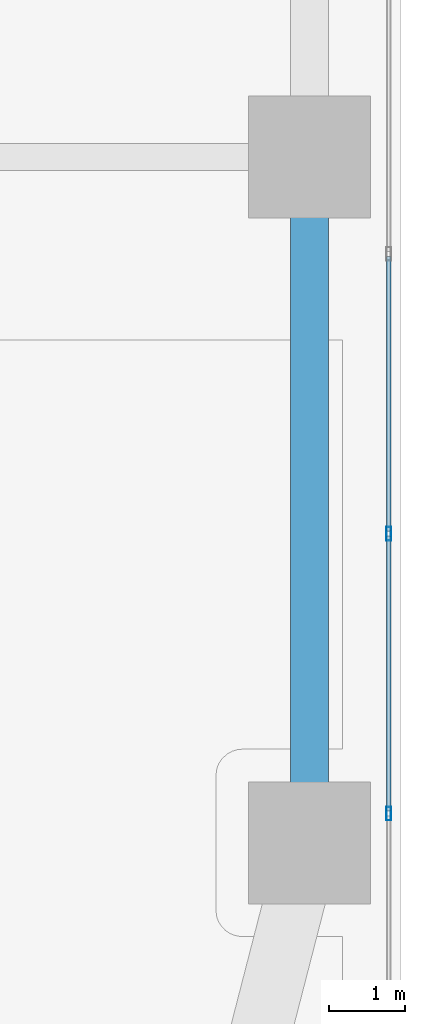
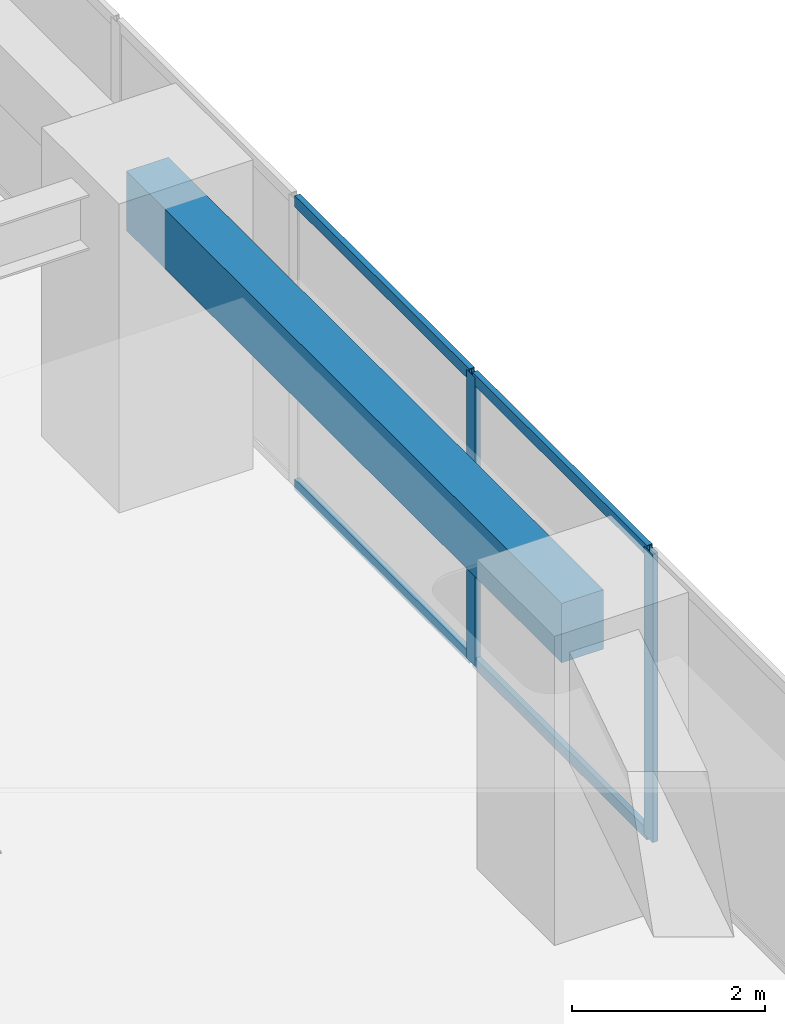
# One storey, part 6 of 29: 6 members, 1 beam, 1 element without a shape of its own.
"""IFC4 building model written with IfcOpenShell, lengths in metres."""

from ifc_helpers import new_model, si_unit, direction, frame, origin, origin_2d, place, context, subcontext, project, spatial, rectangle, hollow_rectangle, extrude, material, layer, layer_set, material_profile, profile_set, type_object, element, aggregate, save


model = new_model("IFC4")

# Units and contexts
model_context = context("Model", 3, precision=1e-05, world=origin(), true_north=direction((0.0, 1.0)))
body_context = subcontext(model_context, "Body", "Model", "MODEL_VIEW")
ifc_project = project(units=[si_unit("LENGTHUNIT", "METRE"), si_unit("AREAUNIT", "SQUARE_METRE"), si_unit("VOLUMEUNIT", "CUBIC_METRE"), si_unit("PLANEANGLEUNIT", "RADIAN"), si_unit("MASSUNIT", "GRAM", prefix="KILO")], contexts=[model_context])

# Site, building, storey
site_placement = place(None, origin())
site = spatial("IfcSite", under=ifc_project, at=site_placement, CompositionType="ELEMENT")
building_placement = place(site_placement, origin())
building = spatial("IfcBuilding", under=site, at=building_placement, Name="Kiyonajd Concourse Tower", CompositionType="ELEMENT")
storey_placement = place(building_placement, frame((0.0, 0.0, 25.5)))
storey = spatial("IfcBuildingStorey", under=building, at=storey_placement, Name="L07", CompositionType="ELEMENT", Elevation=25.5)

# Beam
ifc_material_1 = material(Name="Precast concrete C50/60", Category="concrete")
ifc_material_profile_1 = material_profile(ifc_material_1, rectangle(XDim=0.5, YDim=0.75, at=origin_2d()), Name="RCBM-500x750")
ifc_profile_set_1 = profile_set([ifc_material_profile_1], Name="Precast concrete C50/60")
beam_type = type_object("IfcBeamType", Name="BM-SPAN-RC", PredefinedType="SPANDREL", material=ifc_profile_set_1)
beam_placement = place(storey_placement, frame((78.0, 18.60009765625, 3.264892578125), z_axis=(0.0, 1.0, 0.0), x_axis=(-1.0, 0.0, 0.0)))
element("IfcBeam", 1, at=beam_placement, inside=storey, type_object=beam_type, Name="L07 Perimeter Bundled Tube Spandrel", PredefinedType="SPANDREL", context=body_context, shape_type="SweptSolid", body=[
    extrude(rectangle(XDim=0.5, YDim=0.75, at=origin_2d()), origin(), (0.0, 0.0, 1.0), 9.0),
])

# Curtain wall, members
ifc_material_2 = material(Name="Thermally Broken Anodised Aluminium", Category="aluminium")
ifc_layer = layer(ifc_material_2, 0.179931640625)
ifc_layer_set = layer_set([ifc_layer], Name="Thermally Broken Anodised Aluminium")
curtain_wall_type = type_object("IfcCurtainWallType", Name="CW-SYS-02", PredefinedType="NOTDEFINED", material=ifc_layer_set)
curtain_wall_placement = place(storey_placement, origin())
curtain_wall = element("IfcCurtainWall", 2, at=curtain_wall_placement, inside=storey, type_object=curtain_wall_type, Name="L07 Unitised Curtain Wall CW2", PredefinedType="NOTDEFINED")
ifc_material_profile_2 = material_profile(ifc_material_2, hollow_rectangle(XDim=0.06494140625, YDim=0.179931640625, WallThickness=0.00390625, at=origin_2d()), Name="MULL-65x180")
ifc_profile_set_2 = profile_set([ifc_material_profile_2], Name="Thermally Broken Anodised Aluminium")
member_type_1 = type_object("IfcMemberType", Name="MB-CW-MULL1", PredefinedType="MULLION", material=ifc_profile_set_2)
member_1_placement = place(storey_placement, frame((79.0400390625, 22.657470703125, 0.0), z_axis=(0.0, 0.0, 1.0), x_axis=(1.0, 0.0, 0.0)))
member_1 = element("IfcMember", 3, at=member_1_placement, type_object=member_type_1, Name="CW2 mullion 5", PredefinedType="MULLION", context=body_context, shape_type="SweptSolid", body=[
    extrude(hollow_rectangle(XDim=0.06494140625, YDim=0.179931640625, WallThickness=0.00390625, at=origin_2d()), origin(), (0.0, 0.0, 1.0), 3.639892578125),
])
member_2_placement = place(storey_placement, frame((79.0400390625, 18.984130859375, 0.0), z_axis=(0.0, 0.0, 1.0), x_axis=(1.0, 0.0, 0.0)))
member_2 = element("IfcMember", 4, at=member_2_placement, type_object=member_type_1, Name="CW2 mullion 6", PredefinedType="MULLION", context=body_context, shape_type="SweptSolid", body=[
    extrude(hollow_rectangle(XDim=0.06494140625, YDim=0.179931640625, WallThickness=0.00390625, at=origin_2d()), origin(), (0.0, 0.0, 1.0), 3.639892578125),
])
ifc_material_profile_3 = material_profile(ifc_material_2, hollow_rectangle(XDim=0.06494140625, YDim=0.139892578125, WallThickness=0.00390625, at=origin_2d()), Name="TRAN-65x140")
ifc_profile_set_3 = profile_set([ifc_material_profile_3], Name="Thermally Broken Anodised Aluminium")
member_type_2 = type_object("IfcMemberType", Name="MB-CW-TRAN1", PredefinedType="USERDEFINED", material=ifc_profile_set_3)
member_3_placement = place(storey_placement, frame((79.0400390625, 26.298095703125, 0.032470703125), z_axis=(0.0, -1.0, 0.0), x_axis=(1.0, 0.0, 0.0)))
member_3 = element("IfcMember", 5, at=member_3_placement, type_object=member_type_2, Name="CW2 transom 4.1", ObjectType="TRANSOM", PredefinedType="USERDEFINED", context=body_context, shape_type="SweptSolid", body=[
    extrude(hollow_rectangle(XDim=0.06494140625, YDim=0.139892578125, WallThickness=0.00390625, at=origin_2d()), origin(), (0.0, 0.0, 1.0), 3.608154296875),
])
member_4_placement = place(storey_placement, frame((79.0400390625, 26.298095703125, 3.607421875), z_axis=(0.0, -1.0, 0.0), x_axis=(1.0, 0.0, 0.0)))
member_4 = element("IfcMember", 6, at=member_4_placement, type_object=member_type_2, Name="CW2 transom 4.2", ObjectType="TRANSOM", PredefinedType="USERDEFINED", context=body_context, shape_type="SweptSolid", body=[
    extrude(hollow_rectangle(XDim=0.06494140625, YDim=0.139892578125, WallThickness=0.00390625, at=origin_2d()), origin(), (0.0, 0.0, 1.0), 3.608154296875),
])
member_5_placement = place(storey_placement, frame((79.0400390625, 22.625, 0.032470703125), z_axis=(0.0, -1.0, 0.0), x_axis=(1.0, 0.0, 0.0)))
member_5 = element("IfcMember", 7, at=member_5_placement, type_object=member_type_2, Name="CW2 transom 5.1", ObjectType="TRANSOM", PredefinedType="USERDEFINED", context=body_context, shape_type="SweptSolid", body=[
    extrude(hollow_rectangle(XDim=0.06494140625, YDim=0.139892578125, WallThickness=0.00390625, at=origin_2d()), origin(), (0.0, 0.0, 1.0), 3.608154296875),
])
member_6_placement = place(storey_placement, frame((79.0400390625, 22.625, 3.607421875), z_axis=(0.0, -1.0, 0.0), x_axis=(1.0, 0.0, 0.0)))
member_6 = element("IfcMember", 8, at=member_6_placement, type_object=member_type_2, Name="CW2 transom 5.2", ObjectType="TRANSOM", PredefinedType="USERDEFINED", context=body_context, shape_type="SweptSolid", body=[
    extrude(hollow_rectangle(XDim=0.06494140625, YDim=0.139892578125, WallThickness=0.00390625, at=origin_2d()), origin(), (0.0, 0.0, 1.0), 3.608154296875),
])
aggregate(curtain_wall, [member_1, member_2, member_3, member_4, member_5, member_6])

save(model, "model.ifc")
